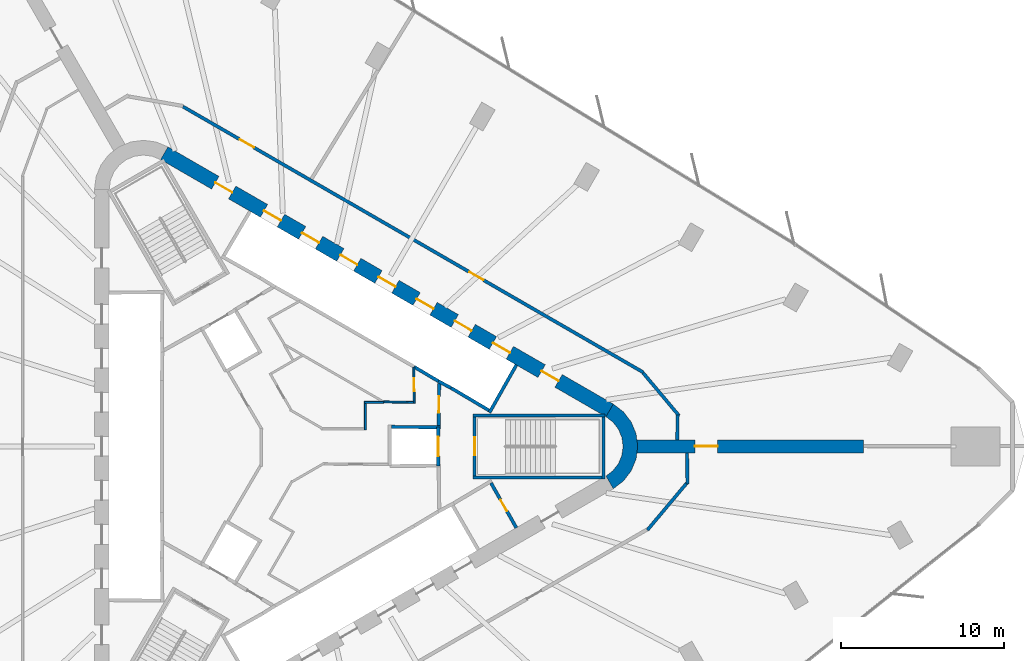
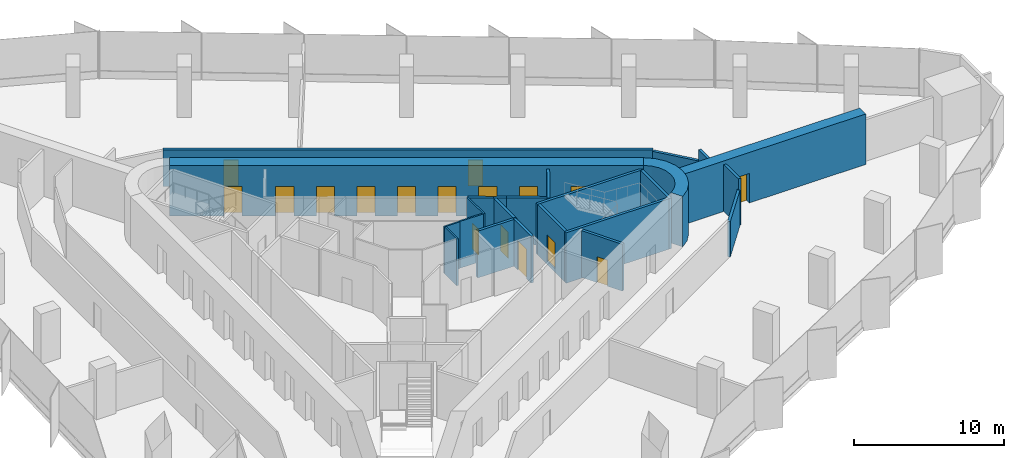
# One storey, part 11 of 13: 24 walls, 17 doors, 17 openings.
"""IFC4 building model written with IfcOpenShell, lengths in metres."""

from ifc_helpers import new_model, si_unit, direction, frame, frame_2d, origin, place, context, subcontext, project, spatial, polyline, rectangle, outline, extrude, material, layer, layer_set, type_object, element, fill, save


model = new_model("IFC4")

# Units and contexts
model_context = context("Model", 3, precision=1e-05, world=origin(), true_north=direction((0.0, 1.0)))
body_context = subcontext(model_context, "Body", "Model", "MODEL_VIEW")
ifc_project = project(units=[si_unit("LENGTHUNIT", "METRE"), si_unit("AREAUNIT", "SQUARE_METRE"), si_unit("VOLUMEUNIT", "CUBIC_METRE"), si_unit("PLANEANGLEUNIT", "RADIAN"), si_unit("MASSUNIT", "GRAM", prefix="KILO")], contexts=[model_context])

# Site, building, storey
site_placement = place(None, origin())
site = spatial("IfcSite", under=ifc_project, at=site_placement, CompositionType="ELEMENT")
building_placement = place(site_placement, origin())
building = spatial("IfcBuilding", under=site, at=building_placement, Name="Tanit Gate Tower", CompositionType="ELEMENT")
storey_placement = place(building_placement, frame((0.0, 0.0, 57.800048828125)))
storey = spatial("IfcBuildingStorey", under=building, at=storey_placement, Name="L10", CompositionType="ELEMENT", Elevation=57.800048828125)

# Wall, opening, door
ifc_material_1 = material(Name="Concrete C60/75", Category="concrete")
ifc_layer_1 = layer(ifc_material_1, 0.800048828125)
ifc_layer_set_1 = layer_set([ifc_layer_1], Name="BUTTRESS FIN 800 C60/75")
wall_type_1 = type_object("IfcWallType", Name="BUTTRESS FIN 800 C60/75", PredefinedType="SHEAR", material=ifc_layer_set_1)
wall_1_placement = place(storey_placement, frame((21.14990234375, 0.0, 0.0), z_axis=(0.0, 0.0, 1.0), x_axis=(1.0, 0.0, 0.0)))
wall_1 = element("IfcWall", 1, at=wall_1_placement, inside=storey, type_object=wall_type_1, Name="BUTTRESS FIN", PredefinedType="SHEAR", context=body_context, shape_type="SweptSolid", body=[
    extrude(rectangle(XDim=13.884033203125, YDim=0.800048828125, at=frame_2d((6.94189453125, 0.0))), origin(), (0.0, 0.0, 1.0), 4.099853515625),
])
opening_1_placement = place(wall_1_placement, frame((3.550048828125, 0.0, 0.0)))
opening_1 = element("IfcOpeningElement", 2, at=opening_1_placement, cuts=wall_1, Name="Opening P14-S01-F-E-1", PredefinedType="OPENING", context=body_context, shape_type="SweptSolid", body=[
    extrude(rectangle(XDim=1.39990234375, YDim=2.39990234375, at=frame_2d((0.699951171875, 1.199951171875))), frame((0.0, 0.41015625, 0.0), z_axis=(0.0, -1.0, 0.0), x_axis=(1.0, 0.0, 0.0)), (0.0, 0.0, 1.0), 0.820068359375),
])
ifc_material_2 = material(Name="Timber door leaf", Category="wood")
door_type_1 = type_object("IfcDoorType", Name="INT-DOOR-FIN-PAIR-1400", OperationType="NOTDEFINED", PredefinedType="NOTDEFINED", material=ifc_material_2)
door_1_placement = place(opening_1_placement, origin())
door_1 = element("IfcDoor", 3, at=door_1_placement, inside=storey, type_object=door_type_1, Name="Door P14-S01-F-E-1", OperationType="DOUBLE_DOOR_SINGLE_SWING", OverallHeight=2.39990234375, OverallWidth=1.39990234375, PredefinedType="NOTDEFINED", context=body_context, shape_type="SweptSolid", body=[
    extrude(rectangle(XDim=1.39990234375, YDim=2.39990234375, at=frame_2d((0.699951171875, 1.199951171875))), frame((0.0, 0.02490234375, 0.0), z_axis=(0.0, -1.0, 0.0), x_axis=(1.0, 0.0, 0.0)), (0.0, 0.0, 1.0), 0.050048828125),
])
fill(opening_1, door_1)

# Wall, openings, doors
ifc_material_3 = material(Name="Concrete C60/75", Category="concrete")
ifc_layer_2 = layer(ifc_material_3, 0.89990234375)
ifc_layer_set_2 = layer_set([ifc_layer_2], Name="CORE WALL 900 C60/75")
wall_type_2 = type_object("IfcWallType", Name="CORE WALL 900 C60/75", PredefinedType="SHEAR", material=ifc_layer_set_2)
wall_2_placement = place(storey_placement, frame((19.47509765625, 2.20849609375, 0.0), z_axis=(0.0, 0.0, 1.0), x_axis=(-0.866028369851, 0.499994862586, 0.0)))
wall_2 = element("IfcWall", 4, at=wall_2_placement, inside=storey, type_object=wall_type_2, Name="CORE WALL", PredefinedType="SHEAR", context=body_context, shape_type="SweptSolid", body=[
    extrude(rectangle(XDim=31.523193359375, YDim=0.89990234375, at=frame_2d((15.76171875, 0.0))), origin(), (0.0, 0.0, 1.0), 4.099853515625),
])
opening_2_placement = place(wall_2_placement, frame((7.0615234375, 0.0, 0.0)))
opening_2 = element("IfcOpeningElement", 5, at=opening_2_placement, cuts=wall_2, Name="Opening LDLL8-S01", PredefinedType="OPENING", context=body_context, shape_type="SweptSolid", body=[
    extrude(rectangle(XDim=1.199951171875, YDim=2.39990234375, at=frame_2d((0.60009765625, 1.199951171875))), frame((0.0, 0.4599609375, 0.0), z_axis=(0.0, -1.0, 0.0), x_axis=(1.0, 0.0, 0.0)), (0.0, 0.0, 1.0), 0.919921875),
])
opening_3_placement = place(wall_2_placement, frame((9.76171875, 0.0, 0.0)))
opening_3 = element("IfcOpeningElement", 6, at=opening_3_placement, cuts=wall_2, Name="Opening LDLL9-S01", PredefinedType="OPENING", context=body_context, shape_type="SweptSolid", body=[
    extrude(rectangle(XDim=1.199951171875, YDim=2.39990234375, at=frame_2d((0.60009765625, 1.199951171875))), frame((0.0, 0.4599609375, 0.0), z_axis=(0.0, -1.0, 0.0), x_axis=(1.0, 0.0, 0.0)), (0.0, 0.0, 1.0), 0.919921875),
])
opening_4_placement = place(wall_2_placement, frame((12.461669921875, 0.0, 0.0)))
opening_4 = element("IfcOpeningElement", 7, at=opening_4_placement, cuts=wall_2, Name="Opening LDLL10-S01", PredefinedType="OPENING", context=body_context, shape_type="SweptSolid", body=[
    extrude(rectangle(XDim=1.199951171875, YDim=2.39990234375, at=frame_2d((0.60009765625, 1.199951171875))), frame((0.0, 0.4599609375, 0.0), z_axis=(0.0, -1.0, 0.0), x_axis=(1.0, 0.0, 0.0)), (0.0, 0.0, 1.0), 0.919921875),
])
opening_5_placement = place(wall_2_placement, frame((15.16162109375, 0.0, 0.0)))
opening_5 = element("IfcOpeningElement", 8, at=opening_5_placement, cuts=wall_2, Name="Opening LDSL1-S01", PredefinedType="OPENING", context=body_context, shape_type="SweptSolid", body=[
    extrude(rectangle(XDim=1.199951171875, YDim=2.39990234375, at=frame_2d((0.60009765625, 1.199951171875))), frame((0.0, 0.4599609375, 0.0), z_axis=(0.0, -1.0, 0.0), x_axis=(1.0, 0.0, 0.0)), (0.0, 0.0, 1.0), 0.919921875),
])
opening_6_placement = place(wall_2_placement, frame((17.861572265625, 0.0, 0.0)))
opening_6 = element("IfcOpeningElement", 9, at=opening_6_placement, cuts=wall_2, Name="Opening LDSL2-S01", PredefinedType="OPENING", context=body_context, shape_type="SweptSolid", body=[
    extrude(rectangle(XDim=1.199951171875, YDim=2.39990234375, at=frame_2d((0.60009765625, 1.199951171875))), frame((0.0, 0.4599609375, 0.0), z_axis=(0.0, -1.0, 0.0), x_axis=(1.0, 0.0, 0.0)), (0.0, 0.0, 1.0), 0.919921875),
])
opening_7_placement = place(wall_2_placement, frame((20.5615234375, 0.0, 0.0)))
opening_7 = element("IfcOpeningElement", 10, at=opening_7_placement, cuts=wall_2, Name="Opening LDSL3-S01", PredefinedType="OPENING", context=body_context, shape_type="SweptSolid", body=[
    extrude(rectangle(XDim=1.199951171875, YDim=2.39990234375, at=frame_2d((0.60009765625, 1.199951171875))), frame((0.0, 0.4599609375, 0.0), z_axis=(0.0, -1.0, 0.0), x_axis=(1.0, 0.0, 0.0)), (0.0, 0.0, 1.0), 0.919921875),
])
opening_8_placement = place(wall_2_placement, frame((23.26171875, 0.0, 0.0)))
opening_8 = element("IfcOpeningElement", 11, at=opening_8_placement, cuts=wall_2, Name="Opening LDSL4-S01", PredefinedType="OPENING", context=body_context, shape_type="SweptSolid", body=[
    extrude(rectangle(XDim=1.199951171875, YDim=2.39990234375, at=frame_2d((0.60009765625, 1.199951171875))), frame((0.0, 0.4599609375, 0.0), z_axis=(0.0, -1.0, 0.0), x_axis=(1.0, 0.0, 0.0)), (0.0, 0.0, 1.0), 0.919921875),
])
opening_9_placement = place(wall_2_placement, frame((3.611572265625, 0.0, 0.0)))
opening_9 = element("IfcOpeningElement", 12, at=opening_9_placement, cuts=wall_2, Name="Opening F12-S01-FL1", PredefinedType="OPENING", context=body_context, shape_type="SweptSolid", body=[
    extrude(rectangle(XDim=1.199951171875, YDim=2.39990234375, at=frame_2d((0.60009765625, 1.199951171875))), frame((0.0, 0.4599609375, 0.0), z_axis=(0.0, -1.0, 0.0), x_axis=(1.0, 0.0, 0.0)), (0.0, 0.0, 1.0), 0.919921875),
])
opening_10_placement = place(wall_2_placement, frame((26.711669921875, 0.0, 0.0)))
opening_10 = element("IfcOpeningElement", 13, at=opening_10_placement, cuts=wall_2, Name="Opening F12-S01-S2", PredefinedType="OPENING", context=body_context, shape_type="SweptSolid", body=[
    extrude(rectangle(XDim=1.199951171875, YDim=2.39990234375, at=frame_2d((0.60009765625, 1.199951171875))), frame((0.0, 0.4599609375, 0.0), z_axis=(0.0, -1.0, 0.0), x_axis=(1.0, 0.0, 0.0)), (0.0, 0.0, 1.0), 0.919921875),
])
ifc_material_4 = material(Name="Fire-rated steel door leaf", Category="steel")
door_type_2 = type_object("IfcDoorType", Name="INT-DOOR-FIRE-LOBBY-1200", OperationType="NOTDEFINED", PredefinedType="USERDEFINED", material=ifc_material_4)
door_2_placement = place(opening_9_placement, origin())
door_2 = element("IfcDoor", 14, at=door_2_placement, inside=storey, type_object=door_type_2, Name="Door F12-S01-FL1", ObjectType="FIRE DOOR", OperationType="SINGLE_SWING_LEFT", OverallHeight=2.39990234375, OverallWidth=1.199951171875, PredefinedType="USERDEFINED", context=body_context, shape_type="SweptSolid", body=[
    extrude(rectangle(XDim=1.199951171875, YDim=2.39990234375, at=frame_2d((0.60009765625, 1.199951171875))), frame((0.0, 0.02490234375, 0.0), z_axis=(0.0, -1.0, 0.0), x_axis=(1.0, 0.0, 0.0)), (0.0, 0.0, 1.0), 0.050048828125),
])
fill(opening_9, door_2)
door_3_placement = place(opening_10_placement, origin())
door_3 = element("IfcDoor", 15, at=door_3_placement, inside=storey, type_object=door_type_2, Name="Door F12-S01-S2", ObjectType="FIRE DOOR", OperationType="SINGLE_SWING_LEFT", OverallHeight=2.39990234375, OverallWidth=1.199951171875, PredefinedType="USERDEFINED", context=body_context, shape_type="SweptSolid", body=[
    extrude(rectangle(XDim=1.199951171875, YDim=2.39990234375, at=frame_2d((0.60009765625, 1.199951171875))), frame((0.0, 0.02490234375, 0.0), z_axis=(0.0, -1.0, 0.0), x_axis=(1.0, 0.0, 0.0)), (0.0, 0.0, 1.0), 0.050048828125),
])
fill(opening_10, door_3)
ifc_material_5 = material(Name="Stainless steel sliding door leaf", Category="steel")
door_type_3 = type_object("IfcDoorType", Name="INT-DOOR-LANDING-1200", OperationType="NOTDEFINED", PredefinedType="USERDEFINED", material=ifc_material_5)
door_4_placement = place(opening_2_placement, origin())
door_4 = element("IfcDoor", 16, at=door_4_placement, inside=storey, type_object=door_type_3, Name="Door LDLL8-S01", ObjectType="LANDING DOOR", OperationType="SLIDING_TO_LEFT", OverallHeight=2.39990234375, OverallWidth=1.199951171875, PredefinedType="USERDEFINED", context=body_context, shape_type="SweptSolid", body=[
    extrude(rectangle(XDim=1.199951171875, YDim=2.39990234375, at=frame_2d((0.60009765625, 1.199951171875))), frame((0.0, 0.02490234375, 0.0), z_axis=(0.0, -1.0, 0.0), x_axis=(1.0, 0.0, 0.0)), (0.0, 0.0, 1.0), 0.050048828125),
])
fill(opening_2, door_4)
door_5_placement = place(opening_3_placement, origin())
door_5 = element("IfcDoor", 17, at=door_5_placement, inside=storey, type_object=door_type_3, Name="Door LDLL9-S01", ObjectType="LANDING DOOR", OperationType="SLIDING_TO_LEFT", OverallHeight=2.39990234375, OverallWidth=1.199951171875, PredefinedType="USERDEFINED", context=body_context, shape_type="SweptSolid", body=[
    extrude(rectangle(XDim=1.199951171875, YDim=2.39990234375, at=frame_2d((0.60009765625, 1.199951171875))), frame((0.0, 0.02490234375, 0.0), z_axis=(0.0, -1.0, 0.0), x_axis=(1.0, 0.0, 0.0)), (0.0, 0.0, 1.0), 0.050048828125),
])
fill(opening_3, door_5)
door_6_placement = place(opening_4_placement, origin())
door_6 = element("IfcDoor", 18, at=door_6_placement, inside=storey, type_object=door_type_3, Name="Door LDLL10-S01", ObjectType="LANDING DOOR", OperationType="SLIDING_TO_LEFT", OverallHeight=2.39990234375, OverallWidth=1.199951171875, PredefinedType="USERDEFINED", context=body_context, shape_type="SweptSolid", body=[
    extrude(rectangle(XDim=1.199951171875, YDim=2.39990234375, at=frame_2d((0.60009765625, 1.199951171875))), frame((0.0, 0.02490234375, 0.0), z_axis=(0.0, -1.0, 0.0), x_axis=(1.0, 0.0, 0.0)), (0.0, 0.0, 1.0), 0.050048828125),
])
fill(opening_4, door_6)
door_7_placement = place(opening_5_placement, origin())
door_7 = element("IfcDoor", 19, at=door_7_placement, inside=storey, type_object=door_type_3, Name="Door LDSL1-S01", ObjectType="LANDING DOOR", OperationType="SLIDING_TO_LEFT", OverallHeight=2.39990234375, OverallWidth=1.199951171875, PredefinedType="USERDEFINED", context=body_context, shape_type="SweptSolid", body=[
    extrude(rectangle(XDim=1.199951171875, YDim=2.39990234375, at=frame_2d((0.60009765625, 1.199951171875))), frame((0.0, 0.02490234375, 0.0), z_axis=(0.0, -1.0, 0.0), x_axis=(1.0, 0.0, 0.0)), (0.0, 0.0, 1.0), 0.050048828125),
])
fill(opening_5, door_7)
door_8_placement = place(opening_6_placement, origin())
door_8 = element("IfcDoor", 20, at=door_8_placement, inside=storey, type_object=door_type_3, Name="Door LDSL2-S01", ObjectType="LANDING DOOR", OperationType="SLIDING_TO_LEFT", OverallHeight=2.39990234375, OverallWidth=1.199951171875, PredefinedType="USERDEFINED", context=body_context, shape_type="SweptSolid", body=[
    extrude(rectangle(XDim=1.199951171875, YDim=2.39990234375, at=frame_2d((0.60009765625, 1.199951171875))), frame((0.0, 0.02490234375, 0.0), z_axis=(0.0, -1.0, 0.0), x_axis=(1.0, 0.0, 0.0)), (0.0, 0.0, 1.0), 0.050048828125),
])
fill(opening_6, door_8)
door_9_placement = place(opening_7_placement, origin())
door_9 = element("IfcDoor", 21, at=door_9_placement, inside=storey, type_object=door_type_3, Name="Door LDSL3-S01", ObjectType="LANDING DOOR", OperationType="SLIDING_TO_LEFT", OverallHeight=2.39990234375, OverallWidth=1.199951171875, PredefinedType="USERDEFINED", context=body_context, shape_type="SweptSolid", body=[
    extrude(rectangle(XDim=1.199951171875, YDim=2.39990234375, at=frame_2d((0.60009765625, 1.199951171875))), frame((0.0, 0.02490234375, 0.0), z_axis=(0.0, -1.0, 0.0), x_axis=(1.0, 0.0, 0.0)), (0.0, 0.0, 1.0), 0.050048828125),
])
fill(opening_7, door_9)
door_10_placement = place(opening_8_placement, origin())
door_10 = element("IfcDoor", 22, at=door_10_placement, inside=storey, type_object=door_type_3, Name="Door LDSL4-S01", ObjectType="LANDING DOOR", OperationType="SLIDING_TO_LEFT", OverallHeight=2.39990234375, OverallWidth=1.199951171875, PredefinedType="USERDEFINED", context=body_context, shape_type="SweptSolid", body=[
    extrude(rectangle(XDim=1.199951171875, YDim=2.39990234375, at=frame_2d((0.60009765625, 1.199951171875))), frame((0.0, 0.02490234375, 0.0), z_axis=(0.0, -1.0, 0.0), x_axis=(1.0, 0.0, 0.0)), (0.0, 0.0, 1.0), 0.050048828125),
])
fill(opening_8, door_10)

# Wall
wall_3_placement = place(storey_placement, origin())
element("IfcWall", 23, at=wall_3_placement, inside=storey, type_object=wall_type_2, Name="CORE WALL CORNER", PredefinedType="SHEAR", context=body_context, shape_type="SweptSolid", body=[
    extrude(outline(polyline([(19.699951171875, -2.59814453125), (20.3212890625, -2.121337890625), (20.798095703125, -1.5), (21.097900390625, -0.776611328125), (21.199951171875, 0.0), (21.097900390625, 0.776611328125), (20.798095703125, 1.5), (20.3212890625, 2.121337890625), (19.699951171875, 2.59814453125), (19.25, 1.818603515625), (19.684814453125, 1.48486328125), (20.018798828125, 1.050048828125), (20.228515625, 0.54345703125), (20.300048828125, 0.0), (20.228515625, -0.54345703125), (20.018798828125, -1.050048828125), (19.684814453125, -1.48486328125), (19.25, -1.818603515625), (19.699951171875, -2.59814453125)])), origin(), (0.0, 0.0, 1.0), 4.099853515625),
])

# Wall, opening, door
ifc_material_6 = material(Name="Fire-rated gypsum board partition")
ifc_layer_3 = layer(ifc_material_6, 0.199951171875)
ifc_layer_set_3 = layer_set([ifc_layer_3], Name="INT-WALL-COMPARTMENT")
wall_type_3 = type_object("IfcWallType", Name="INT-WALL-COMPARTMENT", PredefinedType="PARTITIONING", material=ifc_layer_set_3)
wall_4_placement = place(storey_placement, frame((13.758056640625, -4.989501953125, 0.0), z_axis=(0.0, 0.0, 1.0), x_axis=(-0.491993409184, 0.87059892334, 0.0)))
wall_4 = element("IfcWall", 24, at=wall_4_placement, inside=storey, type_object=wall_type_3, Name="Wall Compartment W058", PredefinedType="PARTITIONING", context=body_context, shape_type="SweptSolid", body=[
    extrude(rectangle(XDim=3.150146484375, YDim=0.199951171875, at=frame_2d((1.5751953125, 0.0))), origin(), (0.0, 0.0, 1.0), 3.800048828125),
])
opening_11_placement = place(wall_4_placement, frame((1.175048828125, 0.0, 0.0)))
opening_11 = element("IfcOpeningElement", 25, at=opening_11_placement, cuts=wall_4, Name="Opening R08-S01-14", PredefinedType="OPENING", context=body_context, shape_type="SweptSolid", body=[
    extrude(rectangle(XDim=0.800048828125, YDim=2.10009765625, at=frame_2d((0.39990234375, 1.050048828125))), frame((0.0, 0.10986328125, 0.0), z_axis=(0.0, -1.0, 0.0), x_axis=(1.0, 0.0, 0.0)), (0.0, 0.0, 1.0), 0.219970703125),
])
ifc_material_7 = material(Name="Timber door leaf", Category="wood")
door_type_4 = type_object("IfcDoorType", Name="INT-DOOR-RISER-800", OperationType="NOTDEFINED", PredefinedType="USERDEFINED", material=ifc_material_7)
door_11_placement = place(opening_11_placement, origin())
door_11 = element("IfcDoor", 26, at=door_11_placement, inside=storey, type_object=door_type_4, Name="Door R08-S01-14", ObjectType="FIRE DOOR", OperationType="SINGLE_SWING_LEFT", OverallHeight=2.10009765625, OverallWidth=0.800048828125, PredefinedType="USERDEFINED", context=body_context, shape_type="SweptSolid", body=[
    extrude(rectangle(XDim=0.800048828125, YDim=2.10009765625, at=frame_2d((0.39990234375, 1.050048828125))), frame((0.0, 0.02490234375, 0.0), z_axis=(0.0, -1.0, 0.0), x_axis=(1.0, 0.0, 0.0)), (0.0, 0.0, 1.0), 0.050048828125),
])
fill(opening_11, door_11)

wall_5_placement = place(storey_placement, frame((9.0009765625, 1.27001953125, 0.0), z_axis=(0.0, 0.0, 1.0), x_axis=(0.010783593937, 0.99994185536, 0.0)))
wall_5 = element("IfcWall", 27, at=wall_5_placement, inside=storey, type_object=wall_type_3, Name="Wall Compartment W060", PredefinedType="PARTITIONING", context=body_context, shape_type="SweptSolid", body=[
    extrude(rectangle(XDim=2.5810546875, YDim=0.199951171875, at=frame_2d((1.29052734375, 0.0))), origin(), (0.0, 0.0, 1.0), 3.800048828125),
])
opening_12_placement = place(wall_5_placement, frame((0.79052734375, 0.0, 0.0)))
opening_12 = element("IfcOpeningElement", 28, at=opening_12_placement, cuts=wall_5, Name="Opening F10-S01-02", PredefinedType="OPENING", context=body_context, shape_type="SweptSolid", body=[
    extrude(rectangle(XDim=1.0, YDim=2.10009765625, at=frame_2d((0.5, 1.050048828125))), frame((0.0, 0.10986328125, 0.0), z_axis=(0.0, -1.0, 0.0), x_axis=(1.0, 0.0, 0.0)), (0.0, 0.0, 1.0), 0.219970703125),
])
ifc_material_8 = material(Name="Fire-rated steel door leaf", Category="steel")
door_type_5 = type_object("IfcDoorType", Name="INT-DOOR-FIRE-1000", OperationType="NOTDEFINED", PredefinedType="USERDEFINED", material=ifc_material_8)
door_12_placement = place(opening_12_placement, origin())
door_12 = element("IfcDoor", 29, at=door_12_placement, inside=storey, type_object=door_type_5, Name="Door F10-S01-02", ObjectType="FIRE DOOR", OperationType="SINGLE_SWING_RIGHT", OverallHeight=2.10009765625, OverallWidth=1.0, PredefinedType="USERDEFINED", context=body_context, shape_type="SweptSolid", body=[
    extrude(rectangle(XDim=1.0, YDim=2.10009765625, at=frame_2d((0.5, 1.050048828125))), frame((0.0, 0.02490234375, 0.0), z_axis=(0.0, -1.0, 0.0), x_axis=(1.0, 0.0, 0.0)), (0.0, 0.0, 1.0), 0.050048828125),
])
fill(opening_12, door_12)

# Wall, openings, doors
wall_6_placement = place(storey_placement, frame((21.55224609375, 4.53076171875, 0.0), z_axis=(0.0, 0.0, 1.0), x_axis=(-0.866023703603, 0.500002944789, 0.0)))
wall_6 = element("IfcWall", 30, at=wall_6_placement, inside=storey, type_object=wall_type_3, Name="Wall Compartment W104", PredefinedType="PARTITIONING", context=body_context, shape_type="SweptSolid", body=[
    extrude(rectangle(XDim=32.598876953125, YDim=0.199951171875, at=frame_2d((16.29931640625, 0.0))), origin(), (0.0, 0.0, 1.0), 2.97998046875),
])
opening_13_placement = place(wall_6_placement, frame((27.5791015625, 0.0, 0.0)))
opening_13 = element("IfcOpeningElement", 31, at=opening_13_placement, cuts=wall_6, Name="Opening F10-S01-22", PredefinedType="OPENING", context=body_context, shape_type="SweptSolid", body=[
    extrude(rectangle(XDim=1.0, YDim=2.10009765625, at=frame_2d((0.5, 1.050048828125))), frame((0.0, 0.10986328125, 0.0), z_axis=(0.0, -1.0, 0.0), x_axis=(1.0, 0.0, 0.0)), (0.0, 0.0, 1.0), 0.219970703125),
])
opening_14_placement = place(wall_6_placement, frame((11.32958984375, 0.0, 0.0)))
opening_14 = element("IfcOpeningElement", 32, at=opening_14_placement, cuts=wall_6, Name="Opening F10-S01-23", PredefinedType="OPENING", context=body_context, shape_type="SweptSolid", body=[
    extrude(rectangle(XDim=1.0, YDim=2.10009765625, at=frame_2d((0.5, 1.050048828125))), frame((0.0, 0.10986328125, 0.0), z_axis=(0.0, -1.0, 0.0), x_axis=(1.0, 0.0, 0.0)), (0.0, 0.0, 1.0), 0.219970703125),
])
door_13_placement = place(opening_13_placement, origin())
door_13 = element("IfcDoor", 33, at=door_13_placement, inside=storey, type_object=door_type_5, Name="Door F10-S01-22", ObjectType="FIRE DOOR", OperationType="SINGLE_SWING_LEFT", OverallHeight=2.10009765625, OverallWidth=1.0, PredefinedType="USERDEFINED", context=body_context, shape_type="SweptSolid", body=[
    extrude(rectangle(XDim=1.0, YDim=2.10009765625, at=frame_2d((0.5, 1.050048828125))), frame((0.0, 0.02490234375, 0.0), z_axis=(0.0, -1.0, 0.0), x_axis=(1.0, 0.0, 0.0)), (0.0, 0.0, 1.0), 0.050048828125),
])
fill(opening_13, door_13)
door_14_placement = place(opening_14_placement, origin())
door_14 = element("IfcDoor", 34, at=door_14_placement, inside=storey, type_object=door_type_5, Name="Door F10-S01-23", ObjectType="FIRE DOOR", OperationType="SINGLE_SWING_RIGHT", OverallHeight=2.10009765625, OverallWidth=1.0, PredefinedType="USERDEFINED", context=body_context, shape_type="SweptSolid", body=[
    extrude(rectangle(XDim=1.0, YDim=2.10009765625, at=frame_2d((0.5, 1.050048828125))), frame((0.0, 0.02490234375, 0.0), z_axis=(0.0, -1.0, 0.0), x_axis=(1.0, 0.0, 0.0)), (0.0, 0.0, 1.0), 0.050048828125),
])
fill(opening_14, door_14)

# Walls
wall_7_placement = place(storey_placement, frame((23.720458984375, 1.893798828125, 0.0), z_axis=(0.0, 0.0, 1.0), x_axis=(-0.642802187783, 0.766032210407, 0.0)))
element("IfcWall", 35, at=wall_7_placement, inside=storey, type_object=wall_type_3, Name="Wall Compartment W105", PredefinedType="PARTITIONING", context=body_context, shape_type="SweptSolid", body=[
    extrude(rectangle(XDim=3.40771484375, YDim=0.199951171875, at=frame_2d((1.703857421875, 0.0))), origin(), (0.0, 0.0, 1.0), 2.8798828125),
])
wall_8_placement = place(storey_placement, frame((23.622314453125, 0.39990234375, 0.0), z_axis=(0.0, 0.0, 1.0), x_axis=(0.015125657972, 0.999885600692, 0.0)))
element("IfcWall", 36, at=wall_8_placement, inside=storey, type_object=wall_type_3, Name="Wall Compartment W106", PredefinedType="PARTITIONING", context=body_context, shape_type="SweptSolid", body=[
    extrude(rectangle(XDim=1.533447265625, YDim=0.199951171875, at=frame_2d((0.7666015625, 0.0))), origin(), (0.0, 0.0, 1.0), 3.800048828125),
])
wall_9_placement = place(storey_placement, frame((24.247802734375, -2.316650390625, 0.0), z_axis=(0.0, 0.0, 1.0), x_axis=(-0.013627571522, 0.999907140336, 0.0)))
element("IfcWall", 37, at=wall_9_placement, inside=storey, type_object=wall_type_3, Name="Wall Compartment W107", PredefinedType="PARTITIONING", context=body_context, shape_type="SweptSolid", body=[
    extrude(rectangle(XDim=1.9169921875, YDim=0.199951171875, at=frame_2d((0.95849609375, 0.0))), origin(), (0.0, 0.0, 1.0), 3.800048828125),
])
wall_10_placement = place(storey_placement, frame((21.79296875, -5.124267578125, 0.0), z_axis=(0.0, 0.0, 1.0), x_axis=(0.642787733653, 0.766044339098, 0.0)))
element("IfcWall", 38, at=wall_10_placement, inside=storey, type_object=wall_type_3, Name="Wall Compartment W108", PredefinedType="PARTITIONING", context=body_context, shape_type="SweptSolid", body=[
    extrude(rectangle(XDim=3.767333984375, YDim=0.199951171875, at=frame_2d((1.8837890625, 0.0))), origin(), (0.0, 0.0, 1.0), 2.8798828125),
])

# Wall, opening, door
ifc_material_9 = material(Name="Gypsum board partition")
ifc_layer_4 = layer(ifc_material_9, 0.1201171875)
ifc_layer_set_4 = layer_set([ifc_layer_4], Name="INT-WALL-PARTITION")
wall_type_4 = type_object("IfcWallType", Name="INT-WALL-PARTITION", PredefinedType="PARTITIONING", material=ifc_layer_set_4)
wall_11_placement = place(storey_placement, frame((7.500732421875, 2.639892578125, 0.0), z_axis=(0.0, 0.0, 1.0), x_axis=(-0.01174194727, 0.999931060961, 0.0)))
wall_11 = element("IfcWall", 39, at=wall_11_placement, inside=storey, type_object=wall_type_4, Name="Wall Partition W077", PredefinedType="PARTITIONING", context=body_context, shape_type="SweptSolid", body=[
    extrude(rectangle(XDim=2.224853515625, YDim=0.1201171875, at=frame_2d((1.1123046875, 0.0))), origin(), (0.0, 0.0, 1.0), 3.800048828125),
])
opening_15_placement = place(wall_11_placement, frame((0.7421875, 0.0, 0.0)))
opening_15 = element("IfcOpeningElement", 40, at=opening_15_placement, cuts=wall_11, Name="Opening R08-S01-12", PredefinedType="OPENING", context=body_context, shape_type="SweptSolid", body=[
    extrude(rectangle(XDim=0.800048828125, YDim=2.10009765625, at=frame_2d((0.39990234375, 1.050048828125))), frame((0.0, 0.070068359375, 0.0), z_axis=(0.0, -1.0, 0.0), x_axis=(1.0, 0.0, 0.0)), (0.0, 0.0, 1.0), 0.14013671875),
])
door_15_placement = place(opening_15_placement, origin())
door_15 = element("IfcDoor", 41, at=door_15_placement, inside=storey, type_object=door_type_4, Name="Door R08-S01-12", ObjectType="FIRE DOOR", OperationType="SINGLE_SWING_LEFT", OverallHeight=2.10009765625, OverallWidth=0.800048828125, PredefinedType="USERDEFINED", context=body_context, shape_type="SweptSolid", body=[
    extrude(rectangle(XDim=0.800048828125, YDim=2.10009765625, at=frame_2d((0.39990234375, 1.050048828125))), frame((0.0, 0.02490234375, 0.0), z_axis=(0.0, -1.0, 0.0), x_axis=(1.0, 0.0, 0.0)), (0.0, 0.0, 1.0), 0.050048828125),
])
fill(opening_15, door_15)

# Walls
wall_12_placement = place(storey_placement, frame((5.616943359375, 2.72900390625, 0.0), z_axis=(0.0, 0.0, 1.0), x_axis=(0.999881424181, -0.015399271967, 0.0)))
element("IfcWall", 42, at=wall_12_placement, inside=storey, type_object=wall_type_4, Name="Wall Partition W078", PredefinedType="PARTITIONING", context=body_context, shape_type="SweptSolid", body=[
    extrude(rectangle(XDim=1.8232421875, YDim=0.1201171875, at=frame_2d((0.91162109375, 0.0))), origin(), (0.0, 0.0, 1.0), 3.800048828125),
])
wall_13_placement = place(storey_placement, frame((4.43994140625, 2.699951171875, 0.0), z_axis=(0.0, 0.0, 1.0), x_axis=(1.0, 0.0, 0.0)))
element("IfcWall", 43, at=wall_13_placement, inside=storey, type_object=wall_type_4, Name="Wall Partition W079", PredefinedType="PARTITIONING", context=body_context, shape_type="SweptSolid", body=[
    extrude(rectangle(XDim=1.1767578125, YDim=0.1201171875, at=frame_2d((0.58837890625, 0.0))), origin(), (0.0, 0.0, 1.0), 3.800048828125),
])
wall_14_placement = place(storey_placement, frame((4.5, 1.014892578125, 0.0), z_axis=(0.0, 0.0, 1.0), x_axis=(0.0, 1.0, 0.0)))
element("IfcWall", 44, at=wall_14_placement, inside=storey, type_object=wall_type_4, Name="Wall Partition W080", PredefinedType="PARTITIONING", context=body_context, shape_type="SweptSolid", body=[
    extrude(rectangle(XDim=1.625, YDim=0.1201171875, at=frame_2d((0.8125, 0.0))), origin(), (0.0, 0.0, 1.0), 3.800048828125),
])
ifc_material_10 = material(Name="Gypsum shaft wall system")
ifc_layer_5 = layer(ifc_material_10, 0.199951171875)
ifc_layer_set_5 = layer_set([ifc_layer_5], Name="INT-WALL-SHAFT")
wall_type_5 = type_object("IfcWallType", Name="INT-WALL-SHAFT", PredefinedType="PLUMBINGWALL", material=ifc_layer_set_5)
wall_15_placement = place(storey_placement, frame((12.10986328125, 2.07275390625, 0.0), z_axis=(0.0, 0.0, 1.0), x_axis=(0.49196600604, 0.870614408852, 0.0)))
element("IfcWall", 45, at=wall_15_placement, inside=storey, type_object=wall_type_5, Name="Wall Shaft W013", PredefinedType="PLUMBINGWALL", context=body_context, shape_type="SweptSolid", body=[
    extrude(rectangle(XDim=3.35009765625, YDim=0.199951171875, at=frame_2d((1.675048828125, 0.0))), origin(), (0.0, 0.0, 1.0), 3.800048828125),
])
wall_16_placement = place(storey_placement, frame((12.072998046875, 2.2109375, 0.0), z_axis=(0.0, 0.0, 1.0), x_axis=(-0.860438357912, 0.509554542943, 0.0)))
element("IfcWall", 46, at=wall_16_placement, inside=storey, type_object=wall_type_5, Name="Wall Shaft W014", PredefinedType="PLUMBINGWALL", context=body_context, shape_type="SweptSolid", body=[
    extrude(rectangle(XDim=2.700439453125, YDim=0.199951171875, at=frame_2d((1.35009765625, 0.0))), origin(), (0.0, 0.0, 1.0), 3.800048828125),
])
wall_17_placement = place(storey_placement, frame((9.74755859375, 3.583251953125, 0.0), z_axis=(0.0, 0.0, 1.0), x_axis=(-0.880917147855, 0.473270513147, 0.0)))
element("IfcWall", 47, at=wall_17_placement, inside=storey, type_object=wall_type_5, Name="Wall Shaft W015", PredefinedType="PLUMBINGWALL", context=body_context, shape_type="SweptSolid", body=[
    extrude(rectangle(XDim=0.8779296875, YDim=0.199951171875, at=frame_2d((0.43896484375, 0.0))), origin(), (0.0, 0.0, 1.0), 3.800048828125),
])
wall_18_placement = place(storey_placement, frame((9.07958984375, 3.93701171875, 0.0), z_axis=(0.0, 0.0, 1.0), x_axis=(-0.859981807212, 0.510324691999, 0.0)))
element("IfcWall", 48, at=wall_18_placement, inside=storey, type_object=wall_type_5, Name="Wall Shaft W016", PredefinedType="PLUMBINGWALL", context=body_context, shape_type="SweptSolid", body=[
    extrude(rectangle(XDim=1.8447265625, YDim=0.199951171875, at=frame_2d((0.92236328125, 0.0))), origin(), (0.0, 0.0, 1.0), 3.800048828125),
])

# Wall, opening, door
wall_19_placement = place(storey_placement, frame((8.969970703125, 1.199951171875, 0.0), z_axis=(0.0, 0.0, 1.0), x_axis=(0.0, -1.0, 0.0)))
wall_19 = element("IfcWall", 49, at=wall_19_placement, inside=storey, type_object=wall_type_5, Name="Wall Shaft W037", PredefinedType="PLUMBINGWALL", context=body_context, shape_type="SweptSolid", body=[
    extrude(rectangle(XDim=2.39990234375, YDim=0.199951171875, at=frame_2d((1.199951171875, 0.0))), origin(), (0.0, 0.0, 1.0), 3.800048828125),
])
opening_16_placement = place(wall_19_placement, frame((0.60009765625, 0.0, 0.0)))
opening_16 = element("IfcOpeningElement", 50, at=opening_16_placement, cuts=wall_19, Name="Opening LDFL1-L10", PredefinedType="OPENING", context=body_context, shape_type="SweptSolid", body=[
    extrude(rectangle(XDim=1.199951171875, YDim=2.39990234375, at=frame_2d((0.60009765625, 1.199951171875))), frame((0.0, 0.10986328125, 0.0), z_axis=(0.0, -1.0, 0.0), x_axis=(1.0, 0.0, 0.0)), (0.0, 0.0, 1.0), 0.219970703125),
])
door_16_placement = place(opening_16_placement, origin())
door_16 = element("IfcDoor", 51, at=door_16_placement, inside=storey, type_object=door_type_3, Name="Door LDFL1-L10", ObjectType="LANDING DOOR", OperationType="SLIDING_TO_LEFT", OverallHeight=2.39990234375, OverallWidth=1.199951171875, PredefinedType="USERDEFINED", context=body_context, shape_type="SweptSolid", body=[
    extrude(rectangle(XDim=1.199951171875, YDim=2.39990234375, at=frame_2d((0.60009765625, 1.199951171875))), frame((0.0, 0.02490234375, 0.0), z_axis=(0.0, -1.0, 0.0), x_axis=(1.0, 0.0, 0.0)), (0.0, 0.0, 1.0), 0.050048828125),
])
fill(opening_16, door_16)

# Walls
wall_20_placement = place(storey_placement, frame((9.10009765625, 1.1689453125, 0.0), z_axis=(0.0, 0.0, 1.0), x_axis=(-0.99994990606, 0.010009264196, 0.0)))
element("IfcWall", 52, at=wall_20_placement, inside=storey, type_object=wall_type_5, Name="Wall Shaft W040", PredefinedType="PLUMBINGWALL", context=body_context, shape_type="SweptSolid", body=[
    extrude(rectangle(XDim=3.000244140625, YDim=0.199951171875, at=frame_2d((1.5, 0.0))), origin(), (0.0, 0.0, 1.0), 3.800048828125),
])
ifc_material_11 = material(Name="Concrete C40/50", Category="concrete")
ifc_layer_6 = layer(ifc_material_11, 0.199951171875)
ifc_layer_set_6 = layer_set([ifc_layer_6], Name="INT-WALL-STAIR")
wall_type_6 = type_object("IfcWallType", Name="INT-WALL-STAIR", PredefinedType="SHEAR", material=ifc_layer_set_6)
wall_21_placement = place(storey_placement, frame((19.199951171875, 1.89990234375, -0.300048828125), z_axis=(0.0, 0.0, 1.0), x_axis=(-1.0, 0.0, 0.0)))
element("IfcWall", 53, at=wall_21_placement, inside=storey, type_object=wall_type_6, Name="Wall Stair W033", PredefinedType="SHEAR", context=body_context, shape_type="SweptSolid", body=[
    extrude(rectangle(XDim=8.099853515625, YDim=0.199951171875, at=frame_2d((4.0498046875, 0.0))), origin(), (0.0, 0.0, 1.0), 4.10009765625),
])
wall_22_placement = place(storey_placement, frame((19.10009765625, -2.0, -0.300048828125), z_axis=(0.0, 0.0, 1.0), x_axis=(0.0, 1.0, 0.0)))
element("IfcWall", 54, at=wall_22_placement, inside=storey, type_object=wall_type_6, Name="Wall Stair W034", PredefinedType="SHEAR", context=body_context, shape_type="SweptSolid", body=[
    extrude(rectangle(XDim=3.800048828125, YDim=0.199951171875, at=frame_2d((1.89990234375, 0.0))), origin(), (0.0, 0.0, 1.0), 4.10009765625),
])
wall_23_placement = place(storey_placement, frame((11.10009765625, -1.89990234375, -0.300048828125), z_axis=(0.0, 0.0, 1.0), x_axis=(1.0, 0.0, 0.0)))
element("IfcWall", 55, at=wall_23_placement, inside=storey, type_object=wall_type_6, Name="Wall Stair W035", PredefinedType="SHEAR", context=body_context, shape_type="SweptSolid", body=[
    extrude(rectangle(XDim=7.89990234375, YDim=0.199951171875, at=frame_2d((3.949951171875, 0.0))), origin(), (0.0, 0.0, 1.0), 4.10009765625),
])

# Wall, opening, door
wall_24_placement = place(storey_placement, frame((11.199951171875, -1.800048828125, -0.300048828125), z_axis=(0.0, 0.0, 1.0), x_axis=(0.0, 1.0, 0.0)))
wall_24 = element("IfcWall", 56, at=wall_24_placement, inside=storey, type_object=wall_type_6, Name="Wall Stair W036", PredefinedType="SHEAR", context=body_context, shape_type="SweptSolid", body=[
    extrude(rectangle(XDim=3.60009765625, YDim=0.199951171875, at=frame_2d((1.800048828125, 0.0))), origin(), (0.0, 0.0, 1.0), 4.10009765625),
])
opening_17_placement = place(wall_24_placement, frame((1.25, 0.0, 0.300048828125)))
opening_17 = element("IfcOpeningElement", 57, at=opening_17_placement, cuts=wall_24, Name="Opening S11-S01-01", PredefinedType="OPENING", context=body_context, shape_type="SweptSolid", body=[
    extrude(rectangle(XDim=1.10009765625, YDim=2.10009765625, at=frame_2d((0.550048828125, 1.050048828125))), frame((0.0, 0.10986328125, 0.0), z_axis=(0.0, -1.0, 0.0), x_axis=(1.0, 0.0, 0.0)), (0.0, 0.0, 1.0), 0.219970703125),
])
ifc_material_12 = material(Name="Timber door leaf", Category="wood")
door_type_6 = type_object("IfcDoorType", Name="INT-DOOR-STAIR-1100", OperationType="NOTDEFINED", PredefinedType="USERDEFINED", material=ifc_material_12)
door_17_placement = place(opening_17_placement, origin())
door_17 = element("IfcDoor", 58, at=door_17_placement, inside=storey, type_object=door_type_6, Name="Door S11-S01-01", ObjectType="FIRE DOOR", OperationType="SINGLE_SWING_LEFT", OverallHeight=2.10009765625, OverallWidth=1.10009765625, PredefinedType="USERDEFINED", context=body_context, shape_type="SweptSolid", body=[
    extrude(rectangle(XDim=1.10009765625, YDim=2.10009765625, at=frame_2d((0.550048828125, 1.050048828125))), frame((0.0, 0.02490234375, 0.0), z_axis=(0.0, -1.0, 0.0), x_axis=(1.0, 0.0, 0.0)), (0.0, 0.0, 1.0), 0.050048828125),
])
fill(opening_17, door_17)

save(model, "model.ifc")
